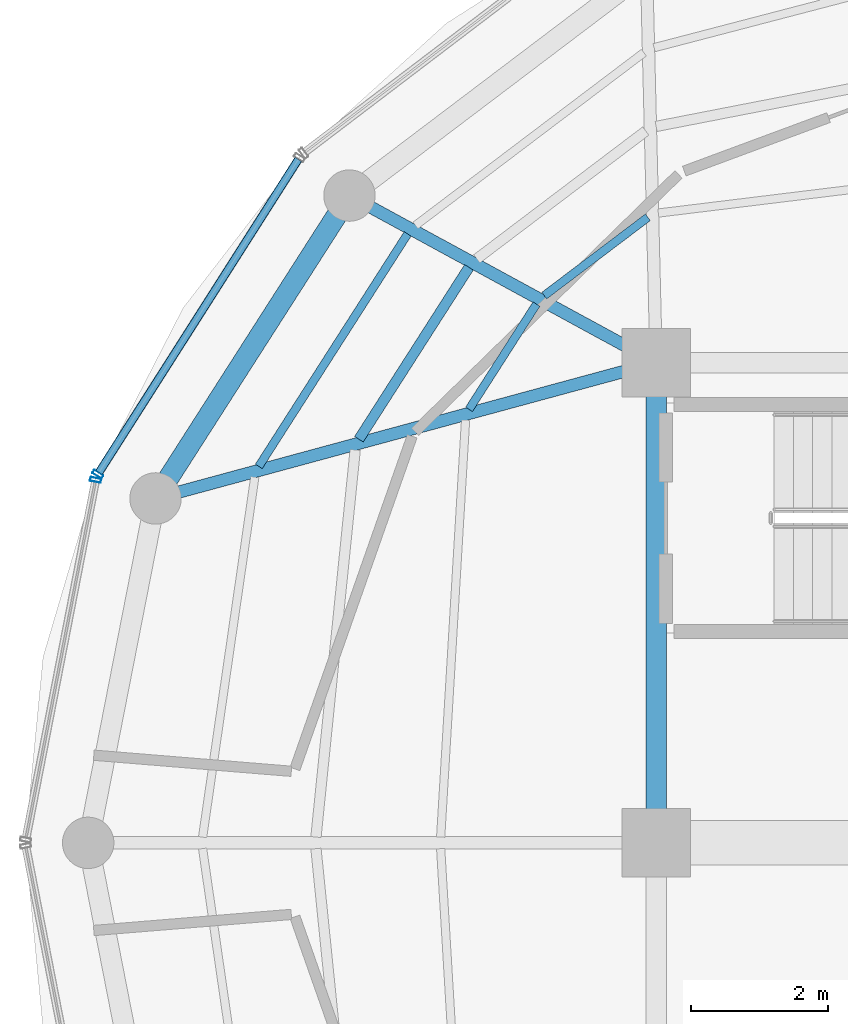
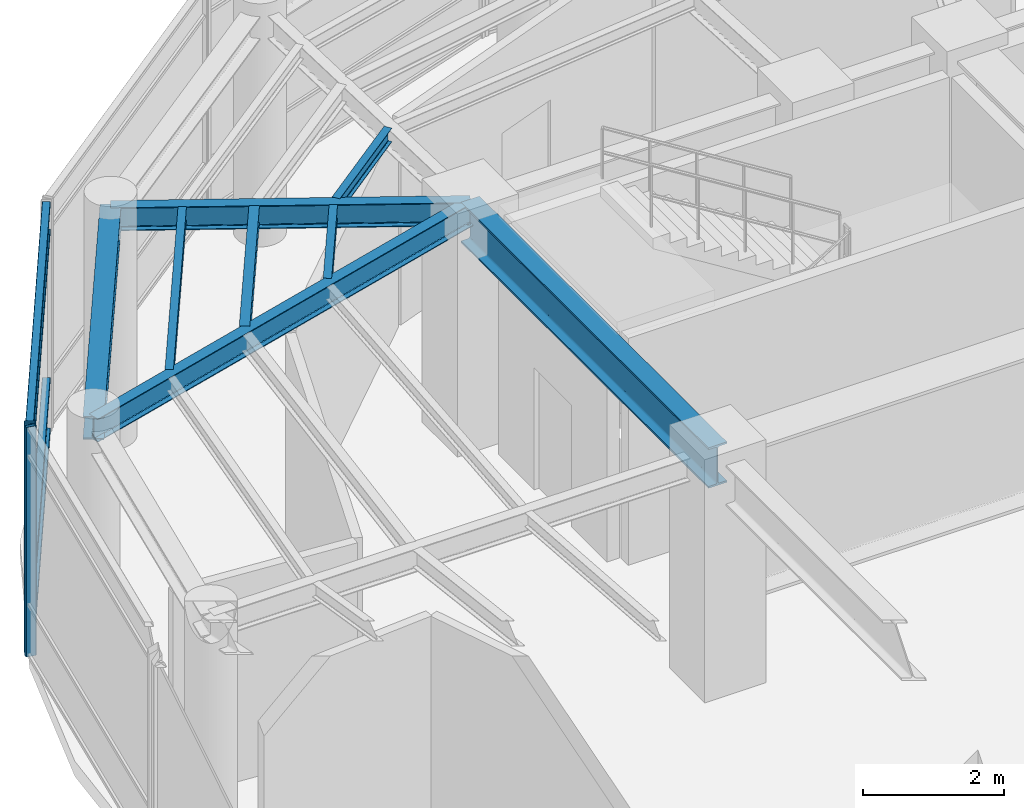
# One storey, part 9 of 19: 8 beams, 6 members, 2 elements without a shape of their own.
"""IFC4 building model written with IfcOpenShell, lengths in metres."""

from ifc_helpers import new_model, si_unit, direction, frame, origin, origin_2d, place, context, subcontext, project, spatial, hollow_rectangle, i_section, extrude, material, layer, layer_set, material_profile, profile_set, type_object, element, aggregate, save


model = new_model("IFC4")

# Units and contexts
model_context = context("Model", 3, precision=1e-05, world=origin(), true_north=direction((0.0, 1.0)))
body_context = subcontext(model_context, "Body", "Model", "MODEL_VIEW")
ifc_project = project(units=[si_unit("LENGTHUNIT", "METRE"), si_unit("AREAUNIT", "SQUARE_METRE"), si_unit("VOLUMEUNIT", "CUBIC_METRE"), si_unit("PLANEANGLEUNIT", "RADIAN"), si_unit("MASSUNIT", "GRAM", prefix="KILO")], contexts=[model_context])

# Site, building, storey
site_placement = place(None, origin())
site = spatial("IfcSite", under=ifc_project, at=site_placement, CompositionType="ELEMENT")
building_placement = place(site_placement, origin())
building = spatial("IfcBuilding", under=site, at=building_placement, Name="Kelanora Arch Commons", CompositionType="ELEMENT")
storey_placement = place(building_placement, frame((0.0, 0.0, 306.89990234375)))
storey = spatial("IfcBuildingStorey", under=building, at=storey_placement, Name="L78", CompositionType="ELEMENT", Elevation=306.89990234375)

# Beams
ifc_material_1 = material(Name="Steel S355", Category="steel")
ifc_material_profile_1 = material_profile(ifc_material_1, i_section(OverallWidth=0.300048828125, OverallDepth=0.699951171875, WebThickness=0.01708984375, FlangeThickness=0.031982421875, FilletRadius=0.027099609375, at=origin_2d()), Name="HEB700")
ifc_profile_set_1 = profile_set([ifc_material_profile_1], Name="Steel S355")
beam_type_1 = type_object("IfcBeamType", Name="BM-CORE-HDR", PredefinedType="BEAM", material=ifc_profile_set_1)
beam_1_placement = place(storey_placement, frame((66.0, 65.0, 3.630126953125), z_axis=(0.0, -1.0, 0.0), x_axis=(1.0, 0.0, 0.0)))
element("IfcBeam", 1, at=beam_1_placement, inside=storey, type_object=beam_type_1, Name="Core Header Beam 08 L78", PredefinedType="BEAM", context=body_context, shape_type="SweptSolid", body=[
    extrude(i_section(OverallWidth=0.300048828125, OverallDepth=0.699951171875, WebThickness=0.01708984375, FlangeThickness=0.031982421875, FilletRadius=0.027099609375, at=origin_2d()), origin(), (0.0, 0.0, 1.0), 7.0),
])
ifc_material_profile_2 = material_profile(ifc_material_1, i_section(OverallWidth=0.14990234375, OverallDepth=0.300048828125, WebThickness=0.007080078125, FlangeThickness=0.0107421875, FilletRadius=0.014892578125, at=origin_2d()), Name="IPE300")
ifc_profile_set_2 = profile_set([ifc_material_profile_2], Name="Steel S355")
beam_type_2 = type_object("IfcBeamType", Name="BM-JST-01", PredefinedType="JOIST", material=ifc_profile_set_2)
beam_2_placement = place(storey_placement, frame((63.271484375, 66.39013671875, 3.830078125), z_axis=(-0.539193378054, -0.84218198809, 0.0), x_axis=(0.84218198809, -0.539193378054, 0.0)))
element("IfcBeam", 2, at=beam_2_placement, inside=storey, type_object=beam_type_2, Name="Secondary Chord Joist BJB-14 L78", PredefinedType="JOIST", context=body_context, shape_type="SweptSolid", body=[
    extrude(i_section(OverallWidth=0.14990234375, OverallDepth=0.300048828125, WebThickness=0.007080078125, FlangeThickness=0.0107421875, FilletRadius=0.014892578125, at=origin_2d()), origin(), (0.0, 0.0, 1.0), 2.975830078125),
])
ifc_material_profile_3 = material_profile(ifc_material_1, i_section(OverallWidth=0.1201171875, OverallDepth=0.239990234375, WebThickness=0.006103515625, FlangeThickness=0.009765625, FilletRadius=0.014892578125, at=origin_2d()), Name="IPE240")
ifc_profile_set_3 = profile_set([ifc_material_profile_3], Name="Steel S355")
beam_type_3 = type_object("IfcBeamType", Name="BM-JST-02", PredefinedType="JOIST", material=ifc_profile_set_3)
beam_3_placement = place(storey_placement, frame((65.87890625, 67.119873046875, 3.860107421875), z_axis=(-0.797424826317, -0.603418301324, 0.0), x_axis=(0.603418301324, -0.797424826317, 0.0)))
element("IfcBeam", 3, at=beam_3_placement, inside=storey, type_object=beam_type_3, Name="Secondary Chord Joist BJA-12 L78", PredefinedType="JOIST", context=body_context, shape_type="SweptSolid", body=[
    extrude(i_section(OverallWidth=0.1201171875, OverallDepth=0.239990234375, WebThickness=0.006103515625, FlangeThickness=0.009765625, FilletRadius=0.014892578125, at=origin_2d()), origin(), (0.0, 0.0, 1.0), 1.893798828125),
])
beam_4_placement = place(storey_placement, frame((64.255126953125, 65.85400390625, 3.860107421875), z_axis=(-0.539300812993, -0.842113194947, 0.0), x_axis=(0.842113194947, -0.539300812993, 0.0)))
element("IfcBeam", 4, at=beam_4_placement, inside=storey, type_object=beam_type_3, Name="Secondary Chord Joist BJA-14 L78", PredefinedType="JOIST", context=body_context, shape_type="SweptSolid", body=[
    extrude(i_section(OverallWidth=0.1201171875, OverallDepth=0.239990234375, WebThickness=0.006103515625, FlangeThickness=0.009765625, FilletRadius=0.014892578125, at=origin_2d()), origin(), (0.0, 0.0, 1.0), 1.822021484375),
])
beam_5_placement = place(storey_placement, frame((62.377197265625, 66.877197265625, 3.860107421875), z_axis=(-0.539232732312, -0.842156790867, 0.0), x_axis=(0.842156790867, -0.539232732312, 0.0)))
element("IfcBeam", 5, at=beam_5_placement, inside=storey, type_object=beam_type_3, Name="Secondary Chord Joist BJC-14 L78", PredefinedType="JOIST", context=body_context, shape_type="SweptSolid", body=[
    extrude(i_section(OverallWidth=0.1201171875, OverallDepth=0.239990234375, WebThickness=0.006103515625, FlangeThickness=0.009765625, FilletRadius=0.014892578125, at=origin_2d()), origin(), (0.0, 0.0, 1.0), 4.024169921875),
])
ifc_material_profile_4 = material_profile(ifc_material_1, i_section(OverallWidth=0.179931640625, OverallDepth=0.39990234375, WebThickness=0.008544921875, FlangeThickness=0.013427734375, FilletRadius=0.02099609375, at=origin_2d()), Name="IPE400")
ifc_profile_set_4 = profile_set([ifc_material_profile_4], Name="Steel S355")
beam_type_4 = type_object("IfcBeamType", Name="BM-RAD-Z5", PredefinedType="BEAM", material=ifc_profile_set_4)
beam_6_placement = place(storey_placement, frame((66.0, 65.0, 3.780029296875), z_axis=(-0.878126355987, 0.478428785631, 0.0), x_axis=(-0.478428785631, -0.878126355987, 0.0)))
element("IfcBeam", 6, at=beam_6_placement, inside=storey, type_object=beam_type_4, Name="Radial Floor Girder BR-14 L78", PredefinedType="BEAM", context=body_context, shape_type="SweptSolid", body=[
    extrude(i_section(OverallWidth=0.179931640625, OverallDepth=0.39990234375, WebThickness=0.008544921875, FlangeThickness=0.013427734375, FilletRadius=0.02099609375, at=origin_2d()), origin(), (0.0, 0.0, 1.0), 5.091796875),
])
beam_7_placement = place(storey_placement, frame((66.0, 65.0, 3.780029296875), z_axis=(-0.965145027625, -0.26171563891, 0.0), x_axis=(0.26171563891, -0.965145027625, 0.0)))
element("IfcBeam", 7, at=beam_7_placement, inside=storey, type_object=beam_type_4, Name="Radial Floor Girder BR-16 L78", PredefinedType="BEAM", context=body_context, shape_type="SweptSolid", body=[
    extrude(i_section(OverallWidth=0.179931640625, OverallDepth=0.39990234375, WebThickness=0.008544921875, FlangeThickness=0.013427734375, FilletRadius=0.02099609375, at=origin_2d()), origin(), (0.0, 0.0, 1.0), 7.561767578125),
])
ifc_material_profile_5 = material_profile(ifc_material_1, i_section(OverallWidth=0.300048828125, OverallDepth=0.39990234375, WebThickness=0.013427734375, FlangeThickness=0.02392578125, FilletRadius=0.027099609375, at=origin_2d()), Name="HEB400")
ifc_profile_set_5 = profile_set([ifc_material_profile_5], Name="Steel S355")
beam_type_5 = type_object("IfcBeamType", Name="BM-SPN-Z4", PredefinedType="SPANDREL", material=ifc_profile_set_5)
beam_8_placement = place(storey_placement, frame((61.52880859375, 67.43603515625, 3.780029296875), z_axis=(-0.53922680048, -0.842160588987, 0.0), x_axis=(0.842160588987, -0.53922680048, 0.0)))
element("IfcBeam", 8, at=beam_8_placement, inside=storey, type_object=beam_type_5, Name="Perimeter Spandrel Beam BS-14 L78", PredefinedType="SPANDREL", context=body_context, shape_type="SweptSolid", body=[
    extrude(i_section(OverallWidth=0.300048828125, OverallDepth=0.39990234375, WebThickness=0.013427734375, FlangeThickness=0.02392578125, FilletRadius=0.027099609375, at=origin_2d()), origin(), (0.0, 0.0, 1.0), 5.242431640625),
])

# Curtain wall, member
ifc_material_2 = material(Name="Terracotta ceramic-fritted low-E glass and aluminium", Category="masonry")
ifc_layer = layer(ifc_material_2, 0.14990234375)
ifc_layer_set = layer_set([ifc_layer], Name="Terracotta ceramic-fritted low-E glass and aluminium")
curtain_wall_type = type_object("IfcCurtainWallType", Name="CW-SYS-06", PredefinedType="NOTDEFINED", material=ifc_layer_set)
curtain_wall_1_placement = place(storey_placement, origin())
curtain_wall_1 = element("IfcCurtainWall", 9, at=curtain_wall_1_placement, inside=storey, type_object=curtain_wall_type, Name="Unitised Curtain Wall L78-B07", PredefinedType="NOTDEFINED")
ifc_material_3 = material(Name="Powder-coated aluminium terracotta", Category="masonry")
ifc_material_profile_6 = material_profile(ifc_material_3, hollow_rectangle(XDim=0.159912109375, YDim=0.06005859375, WallThickness=0.0048828125, InnerFilletRadius=0.0048828125, OuterFilletRadius=0.010009765625, at=origin_2d()), Name="CWM160x60")
ifc_profile_set_6 = profile_set([ifc_material_profile_6], Name="Powder-coated aluminium terracotta")
member_type_1 = type_object("IfcMemberType", Name="CWM-STD", PredefinedType="MULLION", material=ifc_profile_set_6)
member_1_placement = place(storey_placement, frame((57.861572265625, 63.37353515625, 0.0), z_axis=(0.0, 0.0, 1.0), x_axis=(0.84359225554, -0.536984270154, 0.0)))
member_1 = element("IfcMember", 10, at=member_1_placement, type_object=member_type_1, Name="CW-06 mullion 2", PredefinedType="MULLION", context=body_context, shape_type="SweptSolid", body=[
    extrude(hollow_rectangle(XDim=0.159912109375, YDim=0.06005859375, WallThickness=0.0048828125, InnerFilletRadius=0.0048828125, OuterFilletRadius=0.010009765625, at=origin_2d()), origin(), (0.0, 0.0, 1.0), 3.965087890625),
])

curtain_wall_2_placement = place(storey_placement, origin())
curtain_wall_2 = element("IfcCurtainWall", 11, at=curtain_wall_2_placement, inside=storey, type_object=curtain_wall_type, Name="Unitised Curtain Wall L78-B08", PredefinedType="NOTDEFINED")
member_2_placement = place(storey_placement, frame((57.82861328125, 63.291259765625, 0.0), z_axis=(0.0, 0.0, 1.0), x_axis=(0.981623765263, -0.190826579571, 0.0)))
member_2 = element("IfcMember", 12, at=member_2_placement, type_object=member_type_1, Name="CW-06 mullion 1", PredefinedType="MULLION", context=body_context, shape_type="SweptSolid", body=[
    extrude(hollow_rectangle(XDim=0.159912109375, YDim=0.06005859375, WallThickness=0.0048828125, InnerFilletRadius=0.0048828125, OuterFilletRadius=0.010009765625, at=origin_2d()), origin(), (0.0, 0.0, 1.0), 3.965087890625),
])
aggregate(curtain_wall_2, [member_2])

# Member
ifc_material_profile_7 = material_profile(ifc_material_3, hollow_rectangle(XDim=0.1201171875, YDim=0.06005859375, WallThickness=0.0048828125, InnerFilletRadius=0.0048828125, OuterFilletRadius=0.010009765625, at=origin_2d()), Name="CWT120x60")
ifc_profile_set_7 = profile_set([ifc_material_profile_7], Name="Powder-coated aluminium terracotta")
member_type_2 = type_object("IfcMemberType", Name="CWT-STD", PredefinedType="USERDEFINED", material=ifc_profile_set_7)
member_3_placement = place(storey_placement, frame((60.78369140625, 67.964111328125, 0.030029296875), z_axis=(-0.536992252766, -0.843587174197, 0.0), x_axis=(0.843587174197, -0.536992252766, 0.0)))
member_3 = element("IfcMember", 13, at=member_3_placement, type_object=member_type_2, Name="CW-06 transom 1.1", ObjectType="TRANSOM", PredefinedType="USERDEFINED", context=body_context, shape_type="SweptSolid", body=[
    extrude(hollow_rectangle(XDim=0.1201171875, YDim=0.06005859375, WallThickness=0.0048828125, InnerFilletRadius=0.0048828125, OuterFilletRadius=0.010009765625, at=origin_2d()), origin(), (0.0, 0.0, 1.0), 5.41162109375),
])

member_4_placement = place(storey_placement, frame((60.78369140625, 67.964111328125, 0.900146484375), z_axis=(-0.536992252766, -0.843587174197, 0.0), x_axis=(0.843587174197, -0.536992252766, 0.0)))
member_4 = element("IfcMember", 14, at=member_4_placement, type_object=member_type_2, Name="CW-06 transom 1.2", ObjectType="TRANSOM", PredefinedType="USERDEFINED", context=body_context, shape_type="SweptSolid", body=[
    extrude(hollow_rectangle(XDim=0.1201171875, YDim=0.06005859375, WallThickness=0.0048828125, InnerFilletRadius=0.0048828125, OuterFilletRadius=0.010009765625, at=origin_2d()), origin(), (0.0, 0.0, 1.0), 5.41162109375),
])

member_5_placement = place(storey_placement, frame((60.78369140625, 67.964111328125, 3.465087890625), z_axis=(-0.536992252766, -0.843587174197, 0.0), x_axis=(0.843587174197, -0.536992252766, 0.0)))
member_5 = element("IfcMember", 15, at=member_5_placement, type_object=member_type_2, Name="CW-06 transom 1.3", ObjectType="TRANSOM", PredefinedType="USERDEFINED", context=body_context, shape_type="SweptSolid", body=[
    extrude(hollow_rectangle(XDim=0.1201171875, YDim=0.06005859375, WallThickness=0.0048828125, InnerFilletRadius=0.0048828125, OuterFilletRadius=0.010009765625, at=origin_2d()), origin(), (0.0, 0.0, 1.0), 5.41162109375),
])

member_6_placement = place(storey_placement, frame((60.78369140625, 67.964111328125, 3.93505859375), z_axis=(-0.536992252766, -0.843587174197, 0.0), x_axis=(0.843587174197, -0.536992252766, 0.0)))
member_6 = element("IfcMember", 16, at=member_6_placement, type_object=member_type_2, Name="CW-06 transom 1.4", ObjectType="TRANSOM", PredefinedType="USERDEFINED", context=body_context, shape_type="SweptSolid", body=[
    extrude(hollow_rectangle(XDim=0.1201171875, YDim=0.06005859375, WallThickness=0.0048828125, InnerFilletRadius=0.0048828125, OuterFilletRadius=0.010009765625, at=origin_2d()), origin(), (0.0, 0.0, 1.0), 5.41162109375),
])

aggregate(curtain_wall_1, [member_1, member_3, member_4, member_5, member_6])

save(model, "model.ifc")
